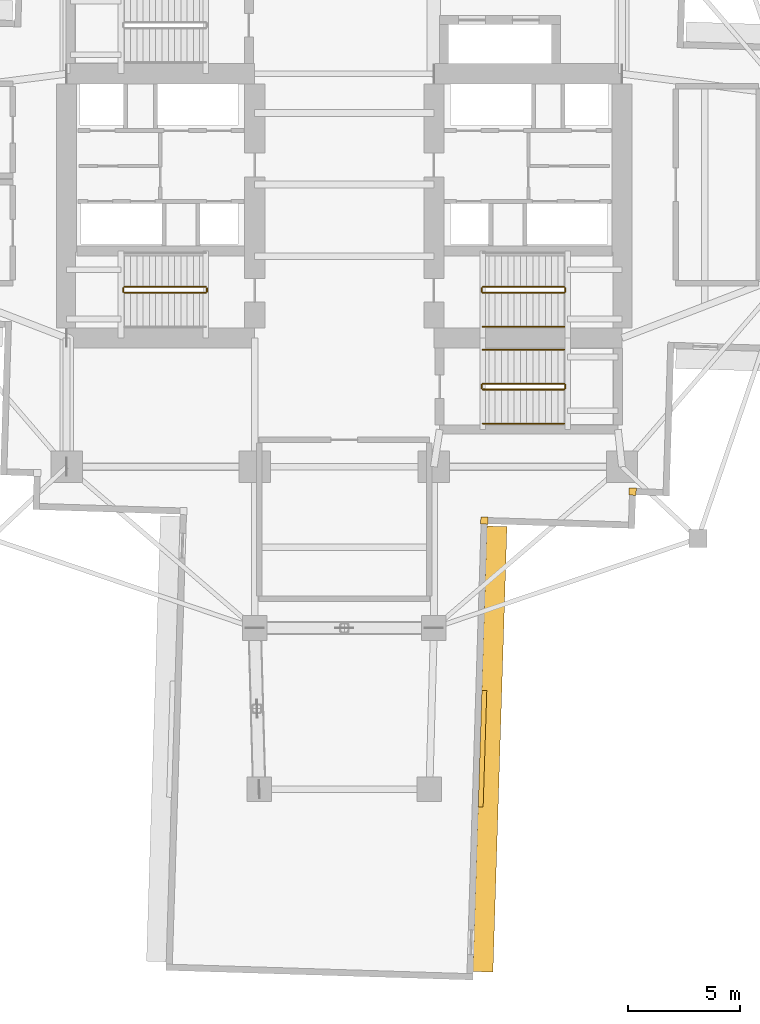
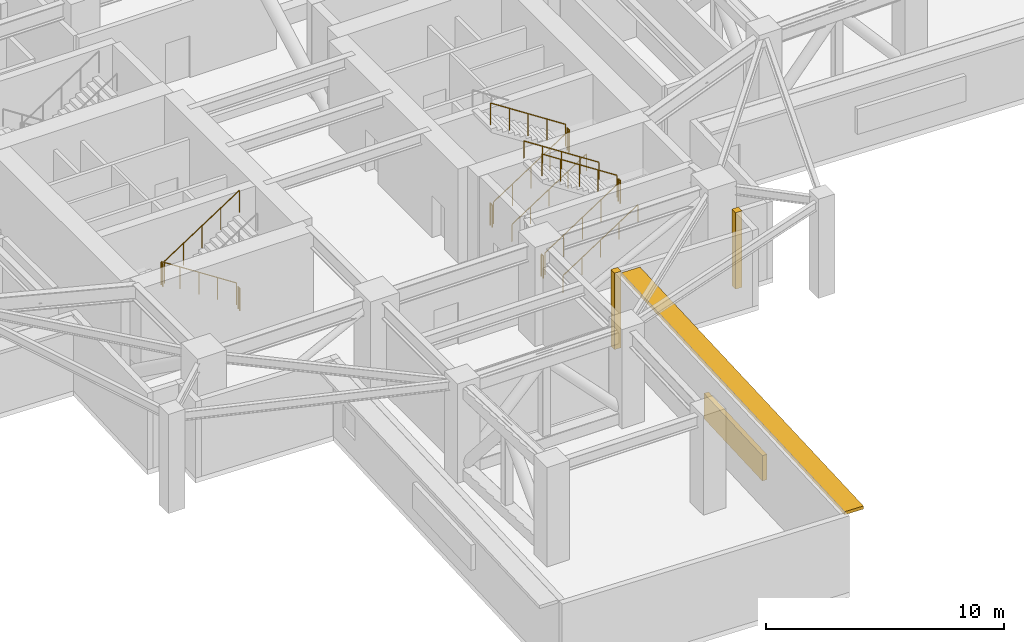
# One storey, part 14 of 17: 15 railings, 2 coverings, 2 shading devices.
"""IFC4 building model written with IfcOpenShell, lengths in metres."""

import ifcopenshell
import ifcopenshell.guid

model = None  # the IFC model being written
_history = None  # IfcOwnerHistory: only IFC2X3 demands one
_inside = {}  # id of a spatial element -> (the spatial element, [elements in it])
_under = {}  # id of a project, library or spatial element -> (it, [spatial elements below it])
_declared = {}  # id of a project -> (the project, [libraries it declares])
_typed = {}  # id of a type object -> (the type object, [elements of that type])
_made_of = {}  # id of a material, layer set ... -> (it, [elements and type objects made of it])


def new_model(schema):
    """Start an empty IFC model of exactly this schema.

    Asked for "IFC4X3", IfcOpenShell would pick the latest addendum, in which some entities
    have other attributes; the version numbers below select the first issue.
    IFC2X3 requires an IfcOwnerHistory on every rooted entity: one is made here for all.
    """
    global model, _history
    if schema == "IFC4X3":
        model = ifcopenshell.file(schema_version=(4, 3, 0, 0))
    else:
        model = ifcopenshell.file(schema=schema)
    _inside.clear()
    _under.clear()
    _declared.clear()
    _typed.clear()
    _made_of.clear()
    _history = None
    if model.schema == "IFC2X3":
        org = make("IfcOrganization", Name="unknown")
        user = make(
            "IfcPersonAndOrganization",
            ThePerson=make("IfcPerson", FamilyName="unknown"),
            TheOrganization=org,
        )
        app = make(
            "IfcApplication",
            ApplicationDeveloper=org,
            Version="unknown",
            ApplicationFullName="unknown",
            ApplicationIdentifier="unknown",
        )
        _history = make(
            "IfcOwnerHistory",
            OwningUser=user,
            OwningApplication=app,
            ChangeAction="ADDED",
            CreationDate=0,
        )
    return model


def make(cls, **values):
    """One entity of the class cls with the attributes given. An attribute that is None is left unset."""
    return model.create_entity(
        cls, **{name: value for name, value in values.items() if value is not None}
    )


def rooted(cls, **values):
    """An entity with a GlobalId (a new one), such as an element, a storey or a relation."""
    return make(cls, GlobalId=ifcopenshell.guid.new(), OwnerHistory=_history, **values)


def si_unit(unit_type, name, prefix=None):
    """IfcSIUnit, for example si_unit("LENGTHUNIT", "METRE", prefix="MILLI")."""
    return make("IfcSIUnit", UnitType=unit_type, Prefix=prefix, Name=name)


def assignment(units):
    """IfcUnitAssignment: the units of a project."""
    return None if units is None else make("IfcUnitAssignment", Units=units)


def point(xyz):
    """IfcCartesianPoint."""
    return None if xyz is None else make("IfcCartesianPoint", Coordinates=xyz)


def direction(xyz):
    """IfcDirection."""
    return None if xyz is None else make("IfcDirection", DirectionRatios=xyz)


def frame(location, z_axis=None, x_axis=None):
    """IfcAxis2Placement3D, a coordinate frame: its origin and axes. An axis left out is left unset."""
    return make(
        "IfcAxis2Placement3D",
        Location=point(location),
        Axis=direction(z_axis),
        RefDirection=direction(x_axis),
    )


def frame_2d(location, x_axis=None):
    """IfcAxis2Placement2D, a coordinate frame in the plane: its origin and x axis."""
    return make(
        "IfcAxis2Placement2D", Location=point(location), RefDirection=direction(x_axis)
    )


def origin():
    """The frame at (0, 0, 0) with its axes left unset."""
    return frame((0.0, 0.0, 0.0))


def origin_2d():
    """The frame at (0, 0) in the plane with its x axis left unset."""
    return frame_2d((0.0, 0.0))


def place(relative_to, where):
    """IfcLocalPlacement: puts the frame where relative to a parent placement (None: the world)."""
    return make(
        "IfcLocalPlacement", PlacementRelTo=relative_to, RelativePlacement=where
    )


def context(
    kind, dimensions, precision=None, world=None, true_north=None, identifier=None
):
    """IfcGeometricRepresentationContext, for example the 3D "Model" context."""
    return make(
        "IfcGeometricRepresentationContext",
        ContextIdentifier=identifier,
        ContextType=kind,
        CoordinateSpaceDimension=dimensions,
        Precision=precision,
        WorldCoordinateSystem=world,
        TrueNorth=true_north,
    )


def subcontext(parent, identifier, kind, view, scale=None):
    """IfcGeometricRepresentationSubContext, for example "Body" below "Model"."""
    return make(
        "IfcGeometricRepresentationSubContext",
        ContextIdentifier=identifier,
        ContextType=kind,
        ParentContext=parent,
        TargetScale=scale,
        TargetView=view,
    )


def project(units=None, contexts=None):
    """IfcProject with its units and contexts."""
    return rooted(
        "IfcProject",
        Name="project",
        RepresentationContexts=contexts,
        UnitsInContext=assignment(units),
    )


def spatial(cls, under=None, at=None, **own):
    """A site, building, storey or space (cls), placed at a placement, below another one or the project."""
    s = rooted(cls, ObjectPlacement=at, **own)
    if under is not None:
        _under.setdefault(under.id(), (under, []))[1].append(s)
    return s


def profile(cls, at=None, kind="AREA", **sizes):
    """A parametric profile (cls). Its sizes go by their IFC names, for example OverallWidth=200.0."""
    return make(cls, ProfileType=kind, Position=at, **sizes)


def rectangle(**sizes):
    """IfcRectangleProfileDef."""
    return profile("IfcRectangleProfileDef", **sizes)


def circle(**sizes):
    """IfcCircleProfileDef."""
    return profile("IfcCircleProfileDef", **sizes)


def extrude(swept, where, along, depth):
    """IfcExtrudedAreaSolid: the profile swept, set in the frame where, extruded along a direction by depth."""
    return make(
        "IfcExtrudedAreaSolid",
        SweptArea=swept,
        Position=where,
        ExtrudedDirection=direction(along),
        Depth=depth,
    )


def shape(context_of_items, identifier, shape_type, items):
    """IfcShapeRepresentation: the items that make up one representation, for example the "Body"."""
    return make(
        "IfcShapeRepresentation",
        ContextOfItems=context_of_items,
        RepresentationIdentifier=identifier,
        RepresentationType=shape_type,
        Items=items,
    )


def material(Name=None, Category=None):
    """IfcMaterial."""
    return make("IfcMaterial", Name=Name, Category=Category)


def layer(
    of_material, thickness, ventilated=None, Name=None, Category=None, Priority=None
):
    """IfcMaterialLayer: one layer of a wall or slab, of a material (None: an air gap)."""
    return make(
        "IfcMaterialLayer",
        Material=of_material,
        LayerThickness=thickness,
        IsVentilated=ventilated,
        Name=Name,
        Category=Category,
        Priority=Priority,
    )


def layer_set(layers, Name=None):
    """IfcMaterialLayerSet."""
    return make("IfcMaterialLayerSet", MaterialLayers=layers, LayerSetName=Name)


def made_of(thing, what):
    """Note that an element or type object is made of a material, layer set ...; save() writes the relation."""
    if what is not None:
        _made_of.setdefault(what.id(), (what, []))[1].append(thing)
    return thing


def type_object(cls, material=None, **own):
    """A type object (cls), such as IfcWallType, which elements share."""
    return made_of(rooted(cls, **own), material)


def element(
    cls,
    number,
    at=None,
    inside=None,
    cuts=None,
    type_object=None,
    material=None,
    context=None,
    identifier="Body",
    shape_type=None,
    held_by="IfcProductDefinitionShape",
    body=None,
    shapes=None,
    **own,
):
    """One element of the class cls, such as IfcWall. Its Tag is "e" and its number.

    at: its placement. inside: the storey or other place that contains it. cuts: it is an
    opening in that element (IfcRelVoidsElement). A single representation is given by context,
    identifier, shape_type and body (its items); several are given by shapes. held_by: the class
    of the entity that holds the representations. save() writes the other relations.
    """
    e = rooted(cls, Tag="e%d" % number, ObjectPlacement=at, **own)
    if body is not None:
        shapes = [shape(context, identifier, shape_type, body)]
    if shapes is not None:
        e.Representation = make(held_by, Representations=shapes)
    if inside is not None:
        _inside.setdefault(inside.id(), (inside, []))[1].append(e)
    if cuts is not None:
        rooted(
            "IfcRelVoidsElement", RelatingBuildingElement=cuts, RelatedOpeningElement=e
        )
    if type_object is not None:
        _typed.setdefault(type_object.id(), (type_object, []))[1].append(e)
    return made_of(e, material)


def aggregate(whole, parts):
    """IfcRelAggregates: a whole, such as a stair, and the parts it consists of."""
    return rooted("IfcRelAggregates", RelatingObject=whole, RelatedObjects=parts)


def save(model, path):
    """Write the relations noted so far, then the file.

    IfcRelAggregates (storeys below a building ...), IfcRelContainedInSpatialStructure (elements
    in a storey), IfcRelDefinesByType, IfcRelAssociatesMaterial and IfcRelDeclares: one each for
    every whole, place, type object, material and project.
    """
    for whole, parts in _under.values():
        aggregate(whole, parts)
    for where, things in _inside.values():
        rooted(
            "IfcRelContainedInSpatialStructure",
            RelatedElements=things,
            RelatingStructure=where,
        )
    for kind, things in _typed.values():
        rooted("IfcRelDefinesByType", RelatedObjects=things, RelatingType=kind)
    for what, things in _made_of.values():
        rooted("IfcRelAssociatesMaterial", RelatedObjects=things, RelatingMaterial=what)
    for by, libraries in _declared.values():
        rooted("IfcRelDeclares", RelatingContext=by, RelatedDefinitions=libraries)
    model.write(path)


model = new_model("IFC4")

# Units and contexts
model_context = context("Model", 3, precision=1e-05, world=origin(), true_north=direction((0.0, 1.0)))
body_context = subcontext(model_context, "Body", "Model", "MODEL_VIEW")
ifc_project = project(units=[si_unit("LENGTHUNIT", "METRE"), si_unit("AREAUNIT", "SQUARE_METRE"), si_unit("VOLUMEUNIT", "CUBIC_METRE"), si_unit("PLANEANGLEUNIT", "RADIAN"), si_unit("MASSUNIT", "GRAM", prefix="KILO")], contexts=[model_context])

# Site, building, storey
site_placement = place(None, origin())
site = spatial("IfcSite", under=ifc_project, at=site_placement, CompositionType="ELEMENT")
building_placement = place(site_placement, origin())
building = spatial("IfcBuilding", under=site, at=building_placement, Name="Qingluan Cross Belvedere", CompositionType="ELEMENT")
storey_placement = place(building_placement, frame((0.0, 0.0, 95.10009765625)))
storey = spatial("IfcBuildingStorey", under=building, at=storey_placement, Name="L24", CompositionType="ELEMENT", Elevation=95.10009765625)

# Coverings
ifc_material_1 = material(Name="Precast concrete C45", Category="concrete")
ifc_layer_1 = layer(ifc_material_1, 0.1201171875, Name="ConcreteSpandrelCladding_120")
ifc_layer_set_1 = layer_set([ifc_layer_1], Name="Precast concrete C45")
covering_type = type_object("IfcCoveringType", Name="ConcreteSpandrelCladding_120", PredefinedType="CLADDING", material=ifc_layer_set_1)
for number, where, z_axis, x_axis, name in (
    (1, (12.875732421875, -13.711181640625, 0.0), (0.0, 0.0, 1.0), (0.999506560366, -0.031410759078, 0.0), "Corner closure L24-SE1"),
    (2, (6.251708984375, -15.00390625, 0.0), (0.0, 0.0, 1.0), (0.999506560366, -0.031410759078, 0.0), "Corner closure L24-SE2"),
):
    element("IfcCovering", number, at=place(storey_placement, frame(where, z_axis=z_axis, x_axis=x_axis)), inside=storey, type_object=covering_type, Name=name, PredefinedType="CLADDING", context=body_context, shape_type="SweptSolid", body=[
        extrude(rectangle(XDim=0.320068359375, YDim=0.320068359375, at=origin_2d()), origin(), (0.0, 0.0, 1.0), 3.929931640625),
    ])

# Shading devices
ifc_material_2 = material(Name="Precast concrete C45", Category="concrete")
ifc_layer_2 = layer(ifc_material_2, 0.159912109375, Name="ConcreteSunshadeBand_900")
ifc_layer_set_2 = layer_set([ifc_layer_2], Name="Precast concrete C45")
shading_device_type_1 = type_object("IfcShadingDeviceType", Name="ConcreteSunshadeBand_900", PredefinedType="USERDEFINED", material=ifc_layer_set_2)
shading_device_1_placement = place(storey_placement, frame((6.50146484375, -25.206787109375, 3.75), z_axis=(0.0, 0.0, 1.0), x_axis=(0.031407934627, 0.999506649124, 0.0)))
element("IfcShadingDevice", 3, at=shading_device_1_placement, inside=storey, type_object=shading_device_type_1, Name="Concrete SUNSHADE L24-SB", ObjectType="SUNSHADE", PredefinedType="USERDEFINED", context=body_context, shape_type="SweptSolid", body=[
    extrude(rectangle(XDim=19.89990234375, YDim=0.89990234375, at=origin_2d()), origin(), (0.0, 0.0, 1.0), 0.159912109375),
])
ifc_material_3 = material(Name="Anodised aluminium acoustic louvre screen", Category="aluminium")
ifc_layer_3 = layer(ifc_material_3, 0.219970703125, Name="RefugeAcousticLouvre_Screen")
ifc_layer_set_3 = layer_set([ifc_layer_3], Name="Anodised aluminium acoustic louvre screen")
shading_device_type_2 = type_object("IfcShadingDeviceType", Name="RefugeAcousticLouvre_Screen", PredefinedType="JALOUSIE", material=ifc_layer_set_3)
shading_device_2_placement = place(storey_placement, frame((6.171630859375, -25.1962890625, 0.94970703125), z_axis=(0.0, 0.0, 1.0), x_axis=(0.031407934627, 0.999506649124, 0.0)))
element("IfcShadingDevice", 4, at=shading_device_2_placement, inside=storey, type_object=shading_device_type_2, Name="Plant acoustic louvre SCREEN L24-SB", PredefinedType="JALOUSIE", context=body_context, shape_type="SweptSolid", body=[
    extrude(rectangle(XDim=5.199951171875, YDim=0.219970703125, at=origin_2d()), origin(), (0.0, 0.0, 1.0), 1.300048828125),
])

# Railings
ifc_material_4 = material(Name="Brushed stainless steel tubular handrail", Category="steel")
railing_type_1 = type_object("IfcRailingType", Name="StairPitchHandrail_900", PredefinedType="HANDRAIL", material=ifc_material_4)
for number, where, name in (
    (5, (6.179931640625, -6.35009765625, 0.18212890625), "L24 ST2 stair handrail 1"),
    (6, (6.179931640625, -10.669921875, 0.18212890625), "L24 ST4 stair handrail 1"),
):
    element("IfcRailing", number, at=place(storey_placement, frame(where)), inside=storey, type_object=railing_type_1, Name=name, PredefinedType="HANDRAIL", context=body_context, shape_type="SweptSolid", body=[
        extrude(circle(Radius=0.02392578125, at=origin_2d()), frame((0.0, 0.0, 0.8759765625), z_axis=(0.838276589377, 0.0, 0.545245228959), x_axis=(0.0, 1.0, 0.0)), (0.0, 0.0, 1.0), 4.34228515625),
        extrude(circle(Radius=0.02099609375, at=origin_2d()), origin(), (0.0, 0.0, 1.0), 0.851806640625),
        extrude(circle(Radius=0.02099609375, at=origin_2d()), frame((0.91015625, 0.0, 0.591796875)), (0.0, 0.0, 1.0), 0.851806640625),
        extrude(circle(Radius=0.02099609375, at=origin_2d()), frame((1.820068359375, 0.0, 1.183837890625)), (0.0, 0.0, 1.0), 0.851806640625),
        extrude(circle(Radius=0.02099609375, at=origin_2d()), frame((2.72998046875, 0.0, 1.77587890625)), (0.0, 0.0, 1.0), 0.851806640625),
        extrude(circle(Radius=0.02099609375, at=origin_2d()), frame((3.64013671875, 0.0, 2.36767578125)), (0.0, 0.0, 1.0), 0.851806640625),
    ])
railing_1_placement = place(storey_placement, frame((9.820068359375, -7.3701171875, 2.73193359375)))
element("IfcRailing", 7, at=railing_1_placement, inside=storey, type_object=railing_type_1, Name="L24 ST4 stair handrail 2", PredefinedType="HANDRAIL", context=body_context, shape_type="SweptSolid", body=[
    extrude(circle(Radius=0.02392578125, at=origin_2d()), frame((0.0, 0.0, 0.8759765625), z_axis=(-0.83825089185, 0.0, 0.545284735081), x_axis=(0.0, -1.0, 0.0)), (0.0, 0.0, 1.0), 4.342529296875),
    extrude(circle(Radius=0.02099609375, at=origin_2d()), origin(), (0.0, 0.0, 1.0), 0.851806640625),
    extrude(circle(Radius=0.02099609375, at=origin_2d()), frame((-0.91015625, 0.0, 0.592041015625)), (0.0, 0.0, 1.0), 0.851806640625),
    extrude(circle(Radius=0.02099609375, at=origin_2d()), frame((-1.820068359375, 0.0, 1.18408203125)), (0.0, 0.0, 1.0), 0.851806640625),
    extrude(circle(Radius=0.02099609375, at=origin_2d()), frame((-2.72998046875, 0.0, 1.77587890625)), (0.0, 0.0, 1.0), 0.851806640625),
    extrude(circle(Radius=0.02099609375, at=origin_2d()), frame((-3.64013671875, 0.0, 2.367919921875)), (0.0, 0.0, 1.0), 0.851806640625),
])
ifc_material_5 = material(Name="Painted steel stair well guard", Category="steel")
railing_type_2 = type_object("IfcRailingType", Name="StairWellGuard_1150", PredefinedType="BALUSTRADE", material=ifc_material_5)
railing_2_placement = place(storey_placement, frame((-6.179931640625, -4.570068359375, 0.18212890625)))
element("IfcRailing", 8, at=railing_2_placement, inside=storey, type_object=railing_type_2, Name="L24 ST1 stair guard 1", PredefinedType="BALUSTRADE", context=body_context, shape_type="SweptSolid", body=[
    extrude(circle(Radius=0.02392578125, at=origin_2d()), frame((0.0, 0.0, 1.1259765625), z_axis=(-0.838276589377, 0.0, 0.545245228959), x_axis=(0.0, -1.0, 0.0)), (0.0, 0.0, 1.0), 4.34228515625),
    extrude(circle(Radius=0.02099609375, at=origin_2d()), origin(), (0.0, 0.0, 1.0), 1.101806640625),
    extrude(circle(Radius=0.02099609375, at=origin_2d()), frame((-0.91015625, 0.0, 0.591796875)), (0.0, 0.0, 1.0), 1.101806640625),
    extrude(circle(Radius=0.02099609375, at=origin_2d()), frame((-1.820068359375, 0.0, 1.183837890625)), (0.0, 0.0, 1.0), 1.101806640625),
    extrude(circle(Radius=0.02099609375, at=origin_2d()), frame((-2.72998046875, 0.0, 1.77587890625)), (0.0, 0.0, 1.0), 1.101806640625),
    extrude(circle(Radius=0.02099609375, at=origin_2d()), frame((-3.64013671875, 0.0, 2.36767578125)), (0.0, 0.0, 1.0), 1.101806640625),
])
railing_3_placement = place(storey_placement, frame((-9.8701171875, -4.6201171875, 2.5498046875)))
element("IfcRailing", 9, at=railing_3_placement, inside=storey, type_object=railing_type_2, Name="L24 ST1 stair guard 2", PredefinedType="BALUSTRADE", context=body_context, shape_type="SweptSolid", body=[
    extrude(circle(Radius=0.02392578125, at=origin_2d()), frame((0.0, 0.0, 1.1259765625), z_axis=(0.0, -1.0, 0.0), x_axis=(1.0, 0.0, 0.0)), (0.0, 0.0, 1.0), 0.159912109375),
    extrude(circle(Radius=0.02099609375, at=origin_2d()), origin(), (0.0, 0.0, 1.0), 1.101806640625),
    extrude(circle(Radius=0.02099609375, at=origin_2d()), frame((0.0, -0.159912109375, 0.0)), (0.0, 0.0, 1.0), 1.101806640625),
])
railing_4_placement = place(storey_placement, frame((-9.820068359375, -4.830078125, 2.73193359375)))
element("IfcRailing", 10, at=railing_4_placement, inside=storey, type_object=railing_type_2, Name="L24 ST1 stair guard 3", PredefinedType="BALUSTRADE", context=body_context, shape_type="SweptSolid", body=[
    extrude(circle(Radius=0.02392578125, at=origin_2d()), frame((0.0, 0.0, 1.1259765625), z_axis=(0.83825089185, 0.0, 0.545284735081), x_axis=(0.0, 1.0, 0.0)), (0.0, 0.0, 1.0), 4.342529296875),
    extrude(circle(Radius=0.02099609375, at=origin_2d()), origin(), (0.0, 0.0, 1.0), 1.101806640625),
    extrude(circle(Radius=0.02099609375, at=origin_2d()), frame((0.91015625, 0.0, 0.592041015625)), (0.0, 0.0, 1.0), 1.101806640625),
    extrude(circle(Radius=0.02099609375, at=origin_2d()), frame((1.820068359375, 0.0, 1.18408203125)), (0.0, 0.0, 1.0), 1.101806640625),
    extrude(circle(Radius=0.02099609375, at=origin_2d()), frame((2.72998046875, 0.0, 1.77587890625)), (0.0, 0.0, 1.0), 1.101806640625),
    extrude(circle(Radius=0.02099609375, at=origin_2d()), frame((3.64013671875, 0.0, 2.367919921875)), (0.0, 0.0, 1.0), 1.101806640625),
])
railing_5_placement = place(storey_placement, frame((-6.1298828125, -4.6201171875, 0.0)))
element("IfcRailing", 11, at=railing_5_placement, inside=storey, type_object=railing_type_2, Name="L24 ST1 stair guard 4", PredefinedType="BALUSTRADE", context=body_context, shape_type="SweptSolid", body=[
    extrude(circle(Radius=0.02392578125, at=origin_2d()), frame((0.0, 0.0, 1.1259765625), z_axis=(0.0, -1.0, 0.0), x_axis=(1.0, 0.0, 0.0)), (0.0, 0.0, 1.0), 0.159912109375),
    extrude(circle(Radius=0.02099609375, at=origin_2d()), origin(), (0.0, 0.0, 1.0), 1.101806640625),
    extrude(circle(Radius=0.02099609375, at=origin_2d()), frame((0.0, -0.159912109375, 0.0)), (0.0, 0.0, 1.0), 1.101806640625),
])
railing_6_placement = place(storey_placement, frame((6.179931640625, -4.830078125, 0.18212890625)))
element("IfcRailing", 12, at=railing_6_placement, inside=storey, type_object=railing_type_2, Name="L24 ST2 stair guard 1", PredefinedType="BALUSTRADE", context=body_context, shape_type="SweptSolid", body=[
    extrude(circle(Radius=0.02392578125, at=origin_2d()), frame((0.0, 0.0, 1.1259765625), z_axis=(0.838276589377, 0.0, 0.545245228959), x_axis=(0.0, 1.0, 0.0)), (0.0, 0.0, 1.0), 4.34228515625),
    extrude(circle(Radius=0.02099609375, at=origin_2d()), origin(), (0.0, 0.0, 1.0), 1.101806640625),
    extrude(circle(Radius=0.02099609375, at=origin_2d()), frame((0.91015625, 0.0, 0.591796875)), (0.0, 0.0, 1.0), 1.101806640625),
    extrude(circle(Radius=0.02099609375, at=origin_2d()), frame((1.820068359375, 0.0, 1.183837890625)), (0.0, 0.0, 1.0), 1.101806640625),
    extrude(circle(Radius=0.02099609375, at=origin_2d()), frame((2.72998046875, 0.0, 1.77587890625)), (0.0, 0.0, 1.0), 1.101806640625),
    extrude(circle(Radius=0.02099609375, at=origin_2d()), frame((3.64013671875, 0.0, 2.36767578125)), (0.0, 0.0, 1.0), 1.101806640625),
])
railing_7_placement = place(storey_placement, frame((9.8701171875, -4.780029296875, 2.5498046875)))
element("IfcRailing", 13, at=railing_7_placement, inside=storey, type_object=railing_type_2, Name="L24 ST2 stair guard 2", PredefinedType="BALUSTRADE", context=body_context, shape_type="SweptSolid", body=[
    extrude(circle(Radius=0.02392578125, at=origin_2d()), frame((0.0, 0.0, 1.1259765625), z_axis=(0.0, 1.0, 0.0), x_axis=(-1.0, 0.0, 0.0)), (0.0, 0.0, 1.0), 0.159912109375),
    extrude(circle(Radius=0.02099609375, at=origin_2d()), origin(), (0.0, 0.0, 1.0), 1.101806640625),
    extrude(circle(Radius=0.02099609375, at=origin_2d()), frame((0.0, 0.159912109375, 0.0)), (0.0, 0.0, 1.0), 1.101806640625),
])
railing_8_placement = place(storey_placement, frame((9.820068359375, -4.570068359375, 2.73193359375)))
element("IfcRailing", 14, at=railing_8_placement, inside=storey, type_object=railing_type_2, Name="L24 ST2 stair guard 3", PredefinedType="BALUSTRADE", context=body_context, shape_type="SweptSolid", body=[
    extrude(circle(Radius=0.02392578125, at=origin_2d()), frame((0.0, 0.0, 1.1259765625), z_axis=(-0.83825089185, 0.0, 0.545284735081), x_axis=(0.0, -1.0, 0.0)), (0.0, 0.0, 1.0), 4.342529296875),
    extrude(circle(Radius=0.02099609375, at=origin_2d()), origin(), (0.0, 0.0, 1.0), 1.101806640625),
    extrude(circle(Radius=0.02099609375, at=origin_2d()), frame((-0.91015625, 0.0, 0.592041015625)), (0.0, 0.0, 1.0), 1.101806640625),
    extrude(circle(Radius=0.02099609375, at=origin_2d()), frame((-1.820068359375, 0.0, 1.18408203125)), (0.0, 0.0, 1.0), 1.101806640625),
    extrude(circle(Radius=0.02099609375, at=origin_2d()), frame((-2.72998046875, 0.0, 1.77587890625)), (0.0, 0.0, 1.0), 1.101806640625),
    extrude(circle(Radius=0.02099609375, at=origin_2d()), frame((-3.64013671875, 0.0, 2.367919921875)), (0.0, 0.0, 1.0), 1.101806640625),
])
railing_9_placement = place(storey_placement, frame((6.1298828125, -4.780029296875, 0.0)))
element("IfcRailing", 15, at=railing_9_placement, inside=storey, type_object=railing_type_2, Name="L24 ST2 stair guard 4", PredefinedType="BALUSTRADE", context=body_context, shape_type="SweptSolid", body=[
    extrude(circle(Radius=0.02392578125, at=origin_2d()), frame((0.0, 0.0, 1.1259765625), z_axis=(0.0, 1.0, 0.0), x_axis=(-1.0, 0.0, 0.0)), (0.0, 0.0, 1.0), 0.159912109375),
    extrude(circle(Radius=0.02099609375, at=origin_2d()), origin(), (0.0, 0.0, 1.0), 1.101806640625),
    extrude(circle(Radius=0.02099609375, at=origin_2d()), frame((0.0, 0.159912109375, 0.0)), (0.0, 0.0, 1.0), 1.101806640625),
])
railing_10_placement = place(storey_placement, frame((6.179931640625, -9.14990234375, 0.18212890625)))
element("IfcRailing", 16, at=railing_10_placement, inside=storey, type_object=railing_type_2, Name="L24 ST4 stair guard 1", PredefinedType="BALUSTRADE", context=body_context, shape_type="SweptSolid", body=[
    extrude(circle(Radius=0.02392578125, at=origin_2d()), frame((0.0, 0.0, 1.1259765625), z_axis=(0.838276589377, 0.0, 0.545245228959), x_axis=(0.0, 1.0, 0.0)), (0.0, 0.0, 1.0), 4.34228515625),
    extrude(circle(Radius=0.02099609375, at=origin_2d()), origin(), (0.0, 0.0, 1.0), 1.101806640625),
    extrude(circle(Radius=0.02099609375, at=origin_2d()), frame((0.91015625, 0.0, 0.591796875)), (0.0, 0.0, 1.0), 1.101806640625),
    extrude(circle(Radius=0.02099609375, at=origin_2d()), frame((1.820068359375, 0.0, 1.183837890625)), (0.0, 0.0, 1.0), 1.101806640625),
    extrude(circle(Radius=0.02099609375, at=origin_2d()), frame((2.72998046875, 0.0, 1.77587890625)), (0.0, 0.0, 1.0), 1.101806640625),
    extrude(circle(Radius=0.02099609375, at=origin_2d()), frame((3.64013671875, 0.0, 2.36767578125)), (0.0, 0.0, 1.0), 1.101806640625),
])
railing_11_placement = place(storey_placement, frame((9.8701171875, -9.10009765625, 2.5498046875)))
element("IfcRailing", 17, at=railing_11_placement, inside=storey, type_object=railing_type_2, Name="L24 ST4 stair guard 2", PredefinedType="BALUSTRADE", context=body_context, shape_type="SweptSolid", body=[
    extrude(circle(Radius=0.02392578125, at=origin_2d()), frame((0.0, 0.0, 1.1259765625), z_axis=(0.0, 1.0, 0.0), x_axis=(-1.0, 0.0, 0.0)), (0.0, 0.0, 1.0), 0.16015625),
    extrude(circle(Radius=0.02099609375, at=origin_2d()), origin(), (0.0, 0.0, 1.0), 1.101806640625),
    extrude(circle(Radius=0.02099609375, at=origin_2d()), frame((0.0, 0.16015625, 0.0)), (0.0, 0.0, 1.0), 1.101806640625),
])
railing_12_placement = place(storey_placement, frame((9.820068359375, -8.889892578125, 2.73193359375)))
element("IfcRailing", 18, at=railing_12_placement, inside=storey, type_object=railing_type_2, Name="L24 ST4 stair guard 3", PredefinedType="BALUSTRADE", context=body_context, shape_type="SweptSolid", body=[
    extrude(circle(Radius=0.02392578125, at=origin_2d()), frame((0.0, 0.0, 1.1259765625), z_axis=(-0.83825089185, 0.0, 0.545284735081), x_axis=(0.0, -1.0, 0.0)), (0.0, 0.0, 1.0), 4.342529296875),
    extrude(circle(Radius=0.02099609375, at=origin_2d()), origin(), (0.0, 0.0, 1.0), 1.101806640625),
    extrude(circle(Radius=0.02099609375, at=origin_2d()), frame((-0.91015625, 0.0, 0.592041015625)), (0.0, 0.0, 1.0), 1.101806640625),
    extrude(circle(Radius=0.02099609375, at=origin_2d()), frame((-1.820068359375, 0.0, 1.18408203125)), (0.0, 0.0, 1.0), 1.101806640625),
    extrude(circle(Radius=0.02099609375, at=origin_2d()), frame((-2.72998046875, 0.0, 1.77587890625)), (0.0, 0.0, 1.0), 1.101806640625),
    extrude(circle(Radius=0.02099609375, at=origin_2d()), frame((-3.64013671875, 0.0, 2.367919921875)), (0.0, 0.0, 1.0), 1.101806640625),
])
railing_13_placement = place(storey_placement, frame((6.1298828125, -9.10009765625, 0.0)))
element("IfcRailing", 19, at=railing_13_placement, inside=storey, type_object=railing_type_2, Name="L24 ST4 stair guard 4", PredefinedType="BALUSTRADE", context=body_context, shape_type="SweptSolid", body=[
    extrude(circle(Radius=0.02392578125, at=origin_2d()), frame((0.0, 0.0, 1.1259765625), z_axis=(0.0, 1.0, 0.0), x_axis=(-1.0, 0.0, 0.0)), (0.0, 0.0, 1.0), 0.16015625),
    extrude(circle(Radius=0.02099609375, at=origin_2d()), origin(), (0.0, 0.0, 1.0), 1.101806640625),
    extrude(circle(Radius=0.02099609375, at=origin_2d()), frame((0.0, 0.16015625, 0.0)), (0.0, 0.0, 1.0), 1.101806640625),
])

save(model, "model.ifc")
